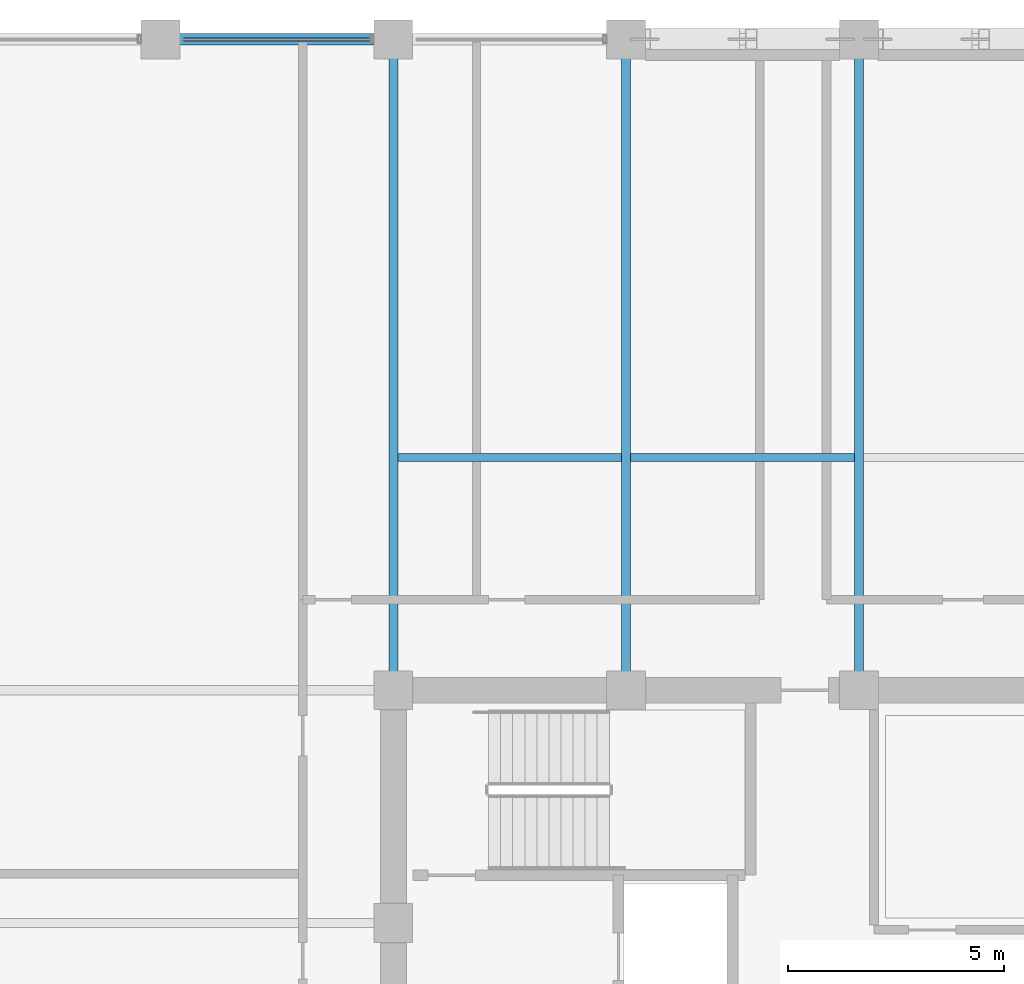
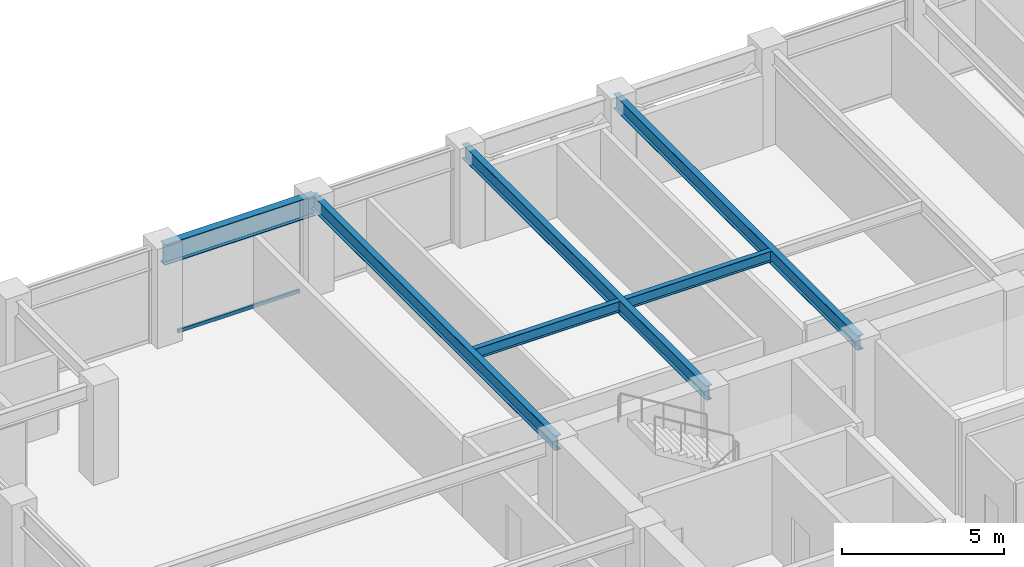
# One storey, part 16 of 28: 6 beams, 1 member, 1 element without a shape of its own.
"""IFC4 building model written with IfcOpenShell, lengths in metres."""

import ifcopenshell
import ifcopenshell.guid

model = None  # the IFC model being written
_history = None  # IfcOwnerHistory: only IFC2X3 demands one
_inside = {}  # id of a spatial element -> (the spatial element, [elements in it])
_under = {}  # id of a project, library or spatial element -> (it, [spatial elements below it])
_declared = {}  # id of a project -> (the project, [libraries it declares])
_typed = {}  # id of a type object -> (the type object, [elements of that type])
_made_of = {}  # id of a material, layer set ... -> (it, [elements and type objects made of it])


def new_model(schema):
    """Start an empty IFC model of exactly this schema.

    Asked for "IFC4X3", IfcOpenShell would pick the latest addendum, in which some entities
    have other attributes; the version numbers below select the first issue.
    IFC2X3 requires an IfcOwnerHistory on every rooted entity: one is made here for all.
    """
    global model, _history
    if schema == "IFC4X3":
        model = ifcopenshell.file(schema_version=(4, 3, 0, 0))
    else:
        model = ifcopenshell.file(schema=schema)
    _inside.clear()
    _under.clear()
    _declared.clear()
    _typed.clear()
    _made_of.clear()
    _history = None
    if model.schema == "IFC2X3":
        org = make("IfcOrganization", Name="unknown")
        user = make(
            "IfcPersonAndOrganization",
            ThePerson=make("IfcPerson", FamilyName="unknown"),
            TheOrganization=org,
        )
        app = make(
            "IfcApplication",
            ApplicationDeveloper=org,
            Version="unknown",
            ApplicationFullName="unknown",
            ApplicationIdentifier="unknown",
        )
        _history = make(
            "IfcOwnerHistory",
            OwningUser=user,
            OwningApplication=app,
            ChangeAction="ADDED",
            CreationDate=0,
        )
    return model


def make(cls, **values):
    """One entity of the class cls with the attributes given. An attribute that is None is left unset."""
    return model.create_entity(
        cls, **{name: value for name, value in values.items() if value is not None}
    )


def rooted(cls, **values):
    """An entity with a GlobalId (a new one), such as an element, a storey or a relation."""
    return make(cls, GlobalId=ifcopenshell.guid.new(), OwnerHistory=_history, **values)


def si_unit(unit_type, name, prefix=None):
    """IfcSIUnit, for example si_unit("LENGTHUNIT", "METRE", prefix="MILLI")."""
    return make("IfcSIUnit", UnitType=unit_type, Prefix=prefix, Name=name)


def assignment(units):
    """IfcUnitAssignment: the units of a project."""
    return None if units is None else make("IfcUnitAssignment", Units=units)


def point(xyz):
    """IfcCartesianPoint."""
    return None if xyz is None else make("IfcCartesianPoint", Coordinates=xyz)


def direction(xyz):
    """IfcDirection."""
    return None if xyz is None else make("IfcDirection", DirectionRatios=xyz)


def frame(location, z_axis=None, x_axis=None):
    """IfcAxis2Placement3D, a coordinate frame: its origin and axes. An axis left out is left unset."""
    return make(
        "IfcAxis2Placement3D",
        Location=point(location),
        Axis=direction(z_axis),
        RefDirection=direction(x_axis),
    )


def frame_2d(location, x_axis=None):
    """IfcAxis2Placement2D, a coordinate frame in the plane: its origin and x axis."""
    return make(
        "IfcAxis2Placement2D", Location=point(location), RefDirection=direction(x_axis)
    )


def origin():
    """The frame at (0, 0, 0) with its axes left unset."""
    return frame((0.0, 0.0, 0.0))


def origin_2d():
    """The frame at (0, 0) in the plane with its x axis left unset."""
    return frame_2d((0.0, 0.0))


def place(relative_to, where):
    """IfcLocalPlacement: puts the frame where relative to a parent placement (None: the world)."""
    return make(
        "IfcLocalPlacement", PlacementRelTo=relative_to, RelativePlacement=where
    )


def context(
    kind, dimensions, precision=None, world=None, true_north=None, identifier=None
):
    """IfcGeometricRepresentationContext, for example the 3D "Model" context."""
    return make(
        "IfcGeometricRepresentationContext",
        ContextIdentifier=identifier,
        ContextType=kind,
        CoordinateSpaceDimension=dimensions,
        Precision=precision,
        WorldCoordinateSystem=world,
        TrueNorth=true_north,
    )


def subcontext(parent, identifier, kind, view, scale=None):
    """IfcGeometricRepresentationSubContext, for example "Body" below "Model"."""
    return make(
        "IfcGeometricRepresentationSubContext",
        ContextIdentifier=identifier,
        ContextType=kind,
        ParentContext=parent,
        TargetScale=scale,
        TargetView=view,
    )


def project(units=None, contexts=None):
    """IfcProject with its units and contexts."""
    return rooted(
        "IfcProject",
        Name="project",
        RepresentationContexts=contexts,
        UnitsInContext=assignment(units),
    )


def spatial(cls, under=None, at=None, **own):
    """A site, building, storey or space (cls), placed at a placement, below another one or the project."""
    s = rooted(cls, ObjectPlacement=at, **own)
    if under is not None:
        _under.setdefault(under.id(), (under, []))[1].append(s)
    return s


def profile(cls, at=None, kind="AREA", **sizes):
    """A parametric profile (cls). Its sizes go by their IFC names, for example OverallWidth=200.0."""
    return make(cls, ProfileType=kind, Position=at, **sizes)


def hollow_rectangle(**sizes):
    """IfcRectangleHollowProfileDef."""
    return profile("IfcRectangleHollowProfileDef", **sizes)


def i_section(**sizes):
    """IfcIShapeProfileDef."""
    return profile("IfcIShapeProfileDef", **sizes)


def extrude(swept, where, along, depth):
    """IfcExtrudedAreaSolid: the profile swept, set in the frame where, extruded along a direction by depth."""
    return make(
        "IfcExtrudedAreaSolid",
        SweptArea=swept,
        Position=where,
        ExtrudedDirection=direction(along),
        Depth=depth,
    )


def shape(context_of_items, identifier, shape_type, items):
    """IfcShapeRepresentation: the items that make up one representation, for example the "Body"."""
    return make(
        "IfcShapeRepresentation",
        ContextOfItems=context_of_items,
        RepresentationIdentifier=identifier,
        RepresentationType=shape_type,
        Items=items,
    )


def material(Name=None, Category=None):
    """IfcMaterial."""
    return make("IfcMaterial", Name=Name, Category=Category)


def layer(
    of_material, thickness, ventilated=None, Name=None, Category=None, Priority=None
):
    """IfcMaterialLayer: one layer of a wall or slab, of a material (None: an air gap)."""
    return make(
        "IfcMaterialLayer",
        Material=of_material,
        LayerThickness=thickness,
        IsVentilated=ventilated,
        Name=Name,
        Category=Category,
        Priority=Priority,
    )


def layer_set(layers, Name=None):
    """IfcMaterialLayerSet."""
    return make("IfcMaterialLayerSet", MaterialLayers=layers, LayerSetName=Name)


def material_profile(
    of_material, cross_section, Name=None, Category=None, Priority=None
):
    """IfcMaterialProfile: a cross section and its material."""
    return make(
        "IfcMaterialProfile",
        Name=Name,
        Material=of_material,
        Profile=cross_section,
        Priority=Priority,
        Category=Category,
    )


def profile_set(profiles, Name=None, composite=None):
    """IfcMaterialProfileSet."""
    return make(
        "IfcMaterialProfileSet",
        Name=Name,
        MaterialProfiles=profiles,
        CompositeProfile=composite,
    )


def made_of(thing, what):
    """Note that an element or type object is made of a material, layer set ...; save() writes the relation."""
    if what is not None:
        _made_of.setdefault(what.id(), (what, []))[1].append(thing)
    return thing


def type_object(cls, material=None, **own):
    """A type object (cls), such as IfcWallType, which elements share."""
    return made_of(rooted(cls, **own), material)


def element(
    cls,
    number,
    at=None,
    inside=None,
    cuts=None,
    type_object=None,
    material=None,
    context=None,
    identifier="Body",
    shape_type=None,
    held_by="IfcProductDefinitionShape",
    body=None,
    shapes=None,
    **own,
):
    """One element of the class cls, such as IfcWall. Its Tag is "e" and its number.

    at: its placement. inside: the storey or other place that contains it. cuts: it is an
    opening in that element (IfcRelVoidsElement). A single representation is given by context,
    identifier, shape_type and body (its items); several are given by shapes. held_by: the class
    of the entity that holds the representations. save() writes the other relations.
    """
    e = rooted(cls, Tag="e%d" % number, ObjectPlacement=at, **own)
    if body is not None:
        shapes = [shape(context, identifier, shape_type, body)]
    if shapes is not None:
        e.Representation = make(held_by, Representations=shapes)
    if inside is not None:
        _inside.setdefault(inside.id(), (inside, []))[1].append(e)
    if cuts is not None:
        rooted(
            "IfcRelVoidsElement", RelatingBuildingElement=cuts, RelatedOpeningElement=e
        )
    if type_object is not None:
        _typed.setdefault(type_object.id(), (type_object, []))[1].append(e)
    return made_of(e, material)


def aggregate(whole, parts):
    """IfcRelAggregates: a whole, such as a stair, and the parts it consists of."""
    return rooted("IfcRelAggregates", RelatingObject=whole, RelatedObjects=parts)


def save(model, path):
    """Write the relations noted so far, then the file.

    IfcRelAggregates (storeys below a building ...), IfcRelContainedInSpatialStructure (elements
    in a storey), IfcRelDefinesByType, IfcRelAssociatesMaterial and IfcRelDeclares: one each for
    every whole, place, type object, material and project.
    """
    for whole, parts in _under.values():
        aggregate(whole, parts)
    for where, things in _inside.values():
        rooted(
            "IfcRelContainedInSpatialStructure",
            RelatedElements=things,
            RelatingStructure=where,
        )
    for kind, things in _typed.values():
        rooted("IfcRelDefinesByType", RelatedObjects=things, RelatingType=kind)
    for what, things in _made_of.values():
        rooted("IfcRelAssociatesMaterial", RelatedObjects=things, RelatingMaterial=what)
    for by, libraries in _declared.values():
        rooted("IfcRelDeclares", RelatingContext=by, RelatedDefinitions=libraries)
    model.write(path)


model = new_model("IFC4")

# Units and contexts
model_context = context("Model", 3, precision=1e-05, world=origin(), true_north=direction((0.0, 1.0)))
body_context = subcontext(model_context, "Body", "Model", "MODEL_VIEW")
ifc_project = project(units=[si_unit("LENGTHUNIT", "METRE"), si_unit("AREAUNIT", "SQUARE_METRE"), si_unit("VOLUMEUNIT", "CUBIC_METRE"), si_unit("PLANEANGLEUNIT", "RADIAN"), si_unit("MASSUNIT", "GRAM", prefix="KILO")], contexts=[model_context])

# Site, building, storey
site_placement = place(None, origin())
site = spatial("IfcSite", under=ifc_project, at=site_placement, CompositionType="ELEMENT")
building_placement = place(site_placement, origin())
building = spatial("IfcBuilding", under=site, at=building_placement, Name="Surkhivell Harbour Commons", CompositionType="ELEMENT")
storey_placement = place(building_placement, frame((0.0, 0.0, 174.75)))
storey = spatial("IfcBuildingStorey", under=building, at=storey_placement, Name="L45", CompositionType="ELEMENT", Elevation=174.75)

# Beams
ifc_material_1 = material(Name="Steel S355", Category="steel")
ifc_material_profile_1 = material_profile(ifc_material_1, i_section(OverallWidth=0.2119140625, OverallDepth=0.5439453125, WebThickness=0.0126953125, FlangeThickness=0.021240234375, at=origin_2d()), Name="UB533x210x122")
ifc_profile_set_1 = profile_set([ifc_material_profile_1], Name="Steel S355")
beam_type_1 = type_object("IfcBeamType", Name="BM-GRD-533A", PredefinedType="BEAM", material=ifc_profile_set_1)
for number, where, z_axis, x_axis, name in (
    (1, (-10.800048828125, 10.800048828125, 3.298095703125), (0.0, 1.0, 0.0), (-1.0, 0.0, 0.0), "L45 Floor Girder (-10.8,10.8)"),
    (2, (-5.39990234375, 10.800048828125, 3.298095703125), (0.0, 1.0, 0.0), (-1.0, 0.0, 0.0), "L45 Floor Girder (-5.4,10.8)"),
    (3, (0.0, 10.800048828125, 3.298095703125), (0.0, 1.0, 0.0), (-1.0, 0.0, 0.0), "L45 Floor Girder (0.0,10.8)"),
):
    element("IfcBeam", number, at=place(storey_placement, frame(where, z_axis=z_axis, x_axis=x_axis)), inside=storey, type_object=beam_type_1, Name=name, PredefinedType="BEAM", context=body_context, shape_type="SweptSolid", body=[
        extrude(i_section(OverallWidth=0.2119140625, OverallDepth=0.5439453125, WebThickness=0.0126953125, FlangeThickness=0.021240234375, at=origin_2d()), origin(), (0.0, 0.0, 1.0), 15.099853515625),
    ])
ifc_material_profile_2 = material_profile(ifc_material_1, i_section(OverallWidth=0.178955078125, OverallDepth=0.408935546875, WebThickness=0.0087890625, FlangeThickness=0.014404296875, at=origin_2d()), Name="UB406x178x67")
ifc_profile_set_2 = profile_set([ifc_material_profile_2], Name="Steel S355")
beam_type_2 = type_object("IfcBeamType", Name="BM-JST-406", PredefinedType="JOIST", material=ifc_profile_set_2)
beam_1_placement = place(storey_placement, frame((-10.696044921875, 16.199951171875, 3.365478515625), z_axis=(1.0, 0.0, 0.0), x_axis=(0.0, 1.0, 0.0)))
element("IfcBeam", 4, at=beam_1_placement, inside=storey, type_object=beam_type_2, Name="L45 North Composite Joist (-10.8)", PredefinedType="JOIST", context=body_context, shape_type="SweptSolid", body=[
    extrude(i_section(OverallWidth=0.178955078125, OverallDepth=0.408935546875, WebThickness=0.0087890625, FlangeThickness=0.014404296875, at=origin_2d()), origin(), (0.0, 0.0, 1.0), 5.192138671875),
])
beam_2_placement = place(storey_placement, frame((-5.2958984375, 16.199951171875, 3.365478515625), z_axis=(1.0, 0.0, 0.0), x_axis=(0.0, 1.0, 0.0)))
element("IfcBeam", 5, at=beam_2_placement, inside=storey, type_object=beam_type_2, Name="L45 North Composite Joist (-5.4)", PredefinedType="JOIST", context=body_context, shape_type="SweptSolid", body=[
    extrude(i_section(OverallWidth=0.178955078125, OverallDepth=0.408935546875, WebThickness=0.0087890625, FlangeThickness=0.014404296875, at=origin_2d()), origin(), (0.0, 0.0, 1.0), 5.19189453125),
])
ifc_material_profile_3 = material_profile(ifc_material_1, i_section(OverallWidth=0.26806640625, OverallDepth=0.77001953125, WebThickness=0.015625, FlangeThickness=0.025390625, at=origin_2d()), Name="UB762x267x197")
ifc_profile_set_3 = profile_set([ifc_material_profile_3], Name="Steel S355")
beam_type_3 = type_object("IfcBeamType", Name="BM-SPN-762", PredefinedType="SPANDREL", material=ifc_profile_set_3)
beam_3_placement = place(storey_placement, frame((-16.199951171875, 25.89990234375, 3.18505859375), z_axis=(1.0, 0.0, 0.0), x_axis=(0.0, 1.0, 0.0)))
element("IfcBeam", 6, at=beam_3_placement, inside=storey, type_object=beam_type_3, Name="L45 Tube Spandrel (-16.2,25.9)", PredefinedType="SPANDREL", context=body_context, shape_type="SweptSolid", body=[
    extrude(i_section(OverallWidth=0.26806640625, OverallDepth=0.77001953125, WebThickness=0.015625, FlangeThickness=0.025390625, at=origin_2d()), origin(), (0.0, 0.0, 1.0), 5.39990234375),
])

# Curtain wall, member
ifc_material_2 = material(Name="Anodised pale-metal aluminium and insulated glazing", Category="aluminium")
ifc_layer = layer(ifc_material_2, 0.18994140625)
ifc_layer_set = layer_set([ifc_layer], Name="Anodised pale-metal aluminium and insulated glazing")
curtain_wall_type = type_object("IfcCurtainWallType", Name="CW-SYS-Z3", PredefinedType="NOTDEFINED", material=ifc_layer_set)
curtain_wall_placement = place(storey_placement, origin())
curtain_wall = element("IfcCurtainWall", 7, at=curtain_wall_placement, inside=storey, type_object=curtain_wall_type, Name="L45 Curtain Wall CW-L45-E07S2", PredefinedType="NOTDEFINED")
ifc_material_3 = material(Name="Champagne anodised aluminium alloy 6063-T6", Category="aluminium")
ifc_material_profile_4 = material_profile(ifc_material_3, hollow_rectangle(XDim=0.070068359375, YDim=0.1298828125, WallThickness=0.00341796875, at=origin_2d()), Name="ALU-TRAN-70x130")
ifc_profile_set_4 = profile_set([ifc_material_profile_4], Name="Champagne anodised aluminium alloy 6063-T6")
member_type = type_object("IfcMemberType", Name="CWT-130", PredefinedType="USERDEFINED", material=ifc_profile_set_4)
member_placement = place(storey_placement, frame((-11.326904296875, 25.89990234375, 0.06494140625), z_axis=(-1.0, 0.0, 0.0), x_axis=(0.0, -1.0, 0.0)))
member = element("IfcMember", 8, at=member_placement, type_object=member_type, Name="CW-Z3 transom 2.1", ObjectType="TRANSOM", PredefinedType="USERDEFINED", context=body_context, shape_type="SweptSolid", body=[
    extrude(hollow_rectangle(XDim=0.070068359375, YDim=0.1298828125, WallThickness=0.00341796875, at=origin_2d()), origin(), (0.0, 0.0, 1.0), 4.34619140625),
])
aggregate(curtain_wall, [member])

save(model, "model.ifc")
